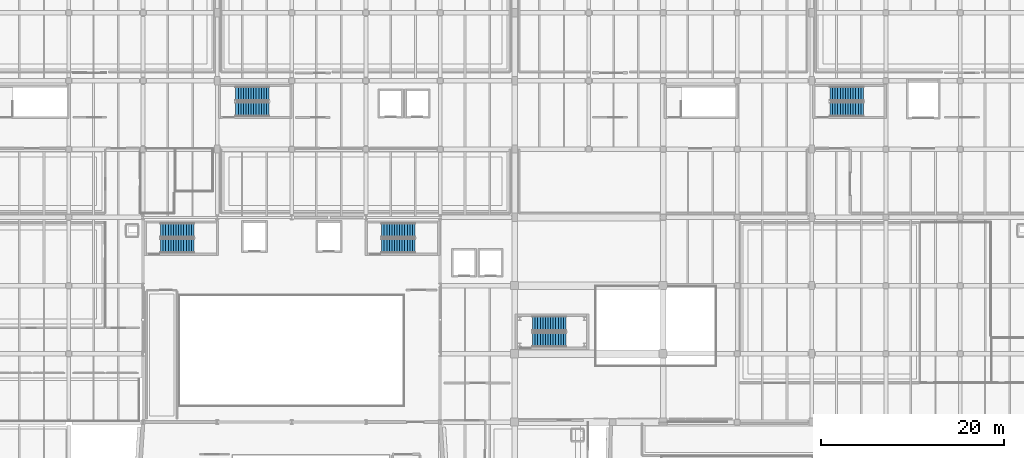
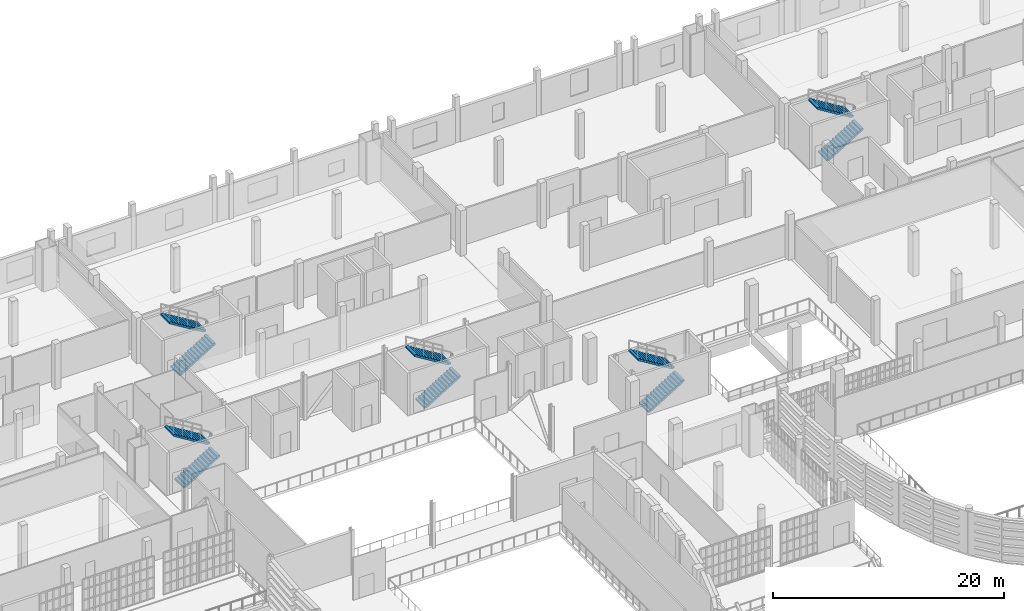
# One storey, part 96 of 104: 10 stair flights, 5 elements without a shape of their own.
"""IFC4 building model written with IfcOpenShell, lengths in metres."""

from ifc_helpers import new_model, si_unit, direction, frame, origin, place, context, subcontext, project, spatial, polyline, outline, extrude, material, type_object, element, aggregate, save


model = new_model("IFC4")

# Units and contexts
model_context = context("Model", 3, precision=1e-05, world=origin(), true_north=direction((0.0, 1.0)))
body_context = subcontext(model_context, "Body", "Model", "MODEL_VIEW")
ifc_project = project(units=[si_unit("LENGTHUNIT", "METRE"), si_unit("AREAUNIT", "SQUARE_METRE"), si_unit("VOLUMEUNIT", "CUBIC_METRE"), si_unit("PLANEANGLEUNIT", "RADIAN"), si_unit("MASSUNIT", "GRAM", prefix="KILO")], contexts=[model_context])

# Site, building, storey
site_placement = place(None, origin())
site = spatial("IfcSite", under=ifc_project, at=site_placement, CompositionType="ELEMENT")
building_placement = place(site_placement, origin())
building = spatial("IfcBuilding", under=site, at=building_placement, Name="Kaelora Sail Theatre", CompositionType="ELEMENT")
storey_placement = place(building_placement, frame((0.0, 0.0, 5.39990234375)))
storey = spatial("IfcBuildingStorey", under=building, at=storey_placement, Name="L01", CompositionType="ELEMENT", Elevation=5.39990234375)

# Stair, stair flights
ifc_material_1 = material(Name="Concrete C40/50", Category="concrete")
stair_type_1 = type_object("IfcStairType", Name="ARC-ST-ESC150", PredefinedType="HALF_TURN_STAIR", material=ifc_material_1)
stair_1_placement = place(storey_placement, origin())
stair_1 = element("IfcStair", 1, at=stair_1_placement, inside=storey, type_object=stair_type_1, Name="L01 ST-K1", PredefinedType="HALF_TURN_STAIR")
ifc_material_2 = material(Name="Concrete C40/50", Category="concrete")
stair_flight_type_1 = type_object("IfcStairFlightType", Name="ARC-SF-150", PredefinedType="STRAIGHT", material=ifc_material_2)
stair_flight_1_placement = place(storey_placement, frame((27.7099609375, 80.22509765625, 0.0), z_axis=(0.0, 0.0, 1.0), x_axis=(1.0, 0.0, 0.0)))
stair_flight_1 = element("IfcStairFlight", 2, at=stair_flight_1_placement, type_object=stair_flight_type_1, Name="ST-K1 flight 1", NumberOfRisers=14, NumberOfTreads=13, PredefinedType="STRAIGHT", RiserHeight=0.171428571, TreadLength=0.28, context=body_context, shape_type="SweptSolid", body=[
    extrude(outline(polyline([(0.0, 0.0), (0.0, 0.17138671875), (0.280029296875, 0.17138671875), (0.280029296875, 0.3427734375), (0.56005859375, 0.3427734375), (0.56005859375, 0.514404296875), (0.840087890625, 0.514404296875), (0.840087890625, 0.685791015625), (1.1201171875, 0.685791015625), (1.1201171875, 0.857177734375), (1.39990234375, 0.857177734375), (1.39990234375, 1.028564453125), (1.679931640625, 1.028564453125), (1.679931640625, 1.199951171875), (1.9599609375, 1.199951171875), (1.9599609375, 1.371337890625), (2.239990234375, 1.371337890625), (2.239990234375, 1.54296875), (2.52001953125, 1.54296875), (2.52001953125, 1.71435546875), (2.800048828125, 1.71435546875), (2.800048828125, 1.8857421875), (3.080078125, 1.8857421875), (3.080078125, 2.05712890625), (3.360107421875, 2.05712890625), (3.360107421875, 2.228515625), (3.639892578125, 2.228515625), (3.639892578125, 2.39990234375), (3.639892578125, 2.052734375), (0.287109375, 0.0), (0.0, 0.0)])), frame((0.0, 0.77490234375, 0.0), z_axis=(0.0, -1.0, 0.0), x_axis=(1.0, 0.0, 0.0)), (0.0, 0.0, 1.0), 1.550048828125),
])
stair_flight_2_placement = place(storey_placement, frame((31.35009765625, 81.925048828125, 2.400146484375), z_axis=(0.0, 0.0, 1.0), x_axis=(-1.0, 0.0, 0.0)))
stair_flight_2 = element("IfcStairFlight", 3, at=stair_flight_2_placement, type_object=stair_flight_type_1, Name="ST-K1 flight 2", NumberOfRisers=14, NumberOfTreads=13, PredefinedType="STRAIGHT", RiserHeight=0.171428571, TreadLength=0.28, context=body_context, shape_type="SweptSolid", body=[
    extrude(outline(polyline([(0.0, 0.0), (0.0, 0.17138671875), (0.280029296875, 0.17138671875), (0.280029296875, 0.3427734375), (0.56005859375, 0.3427734375), (0.56005859375, 0.514404296875), (0.840087890625, 0.514404296875), (0.840087890625, 0.685791015625), (1.1201171875, 0.685791015625), (1.1201171875, 0.857177734375), (1.39990234375, 0.857177734375), (1.39990234375, 1.028564453125), (1.679931640625, 1.028564453125), (1.679931640625, 1.199951171875), (1.9599609375, 1.199951171875), (1.9599609375, 1.371337890625), (2.239990234375, 1.371337890625), (2.239990234375, 1.54296875), (2.52001953125, 1.54296875), (2.52001953125, 1.71435546875), (2.800048828125, 1.71435546875), (2.800048828125, 1.8857421875), (3.080078125, 1.8857421875), (3.080078125, 2.05712890625), (3.360107421875, 2.05712890625), (3.360107421875, 2.228515625), (3.639892578125, 2.228515625), (3.639892578125, 2.39990234375), (3.639892578125, 2.052734375), (0.287109375, 0.0), (0.0, 0.0)])), frame((0.0, 0.77490234375, 0.0), z_axis=(0.0, -1.0, 0.0), x_axis=(1.0, 0.0, 0.0)), (0.0, 0.0, 1.0), 1.550048828125),
])
aggregate(stair_1, [stair_flight_1, stair_flight_2])

stair_2_placement = place(storey_placement, origin())
stair_2 = element("IfcStair", 4, at=stair_2_placement, inside=storey, type_object=stair_type_1, Name="L01 ST-K5", PredefinedType="HALF_TURN_STAIR")
stair_flight_3_placement = place(storey_placement, frame((51.81005859375, 80.22509765625, 0.0), z_axis=(0.0, 0.0, 1.0), x_axis=(1.0, 0.0, 0.0)))
stair_flight_3 = element("IfcStairFlight", 5, at=stair_flight_3_placement, type_object=stair_flight_type_1, Name="ST-K5 flight 1", NumberOfRisers=14, NumberOfTreads=13, PredefinedType="STRAIGHT", RiserHeight=0.171428571, TreadLength=0.28, context=body_context, shape_type="SweptSolid", body=[
    extrude(outline(polyline([(0.0, 0.0), (0.0, 0.17138671875), (0.280029296875, 0.17138671875), (0.280029296875, 0.3427734375), (0.56005859375, 0.3427734375), (0.56005859375, 0.514404296875), (0.840087890625, 0.514404296875), (0.840087890625, 0.685791015625), (1.1201171875, 0.685791015625), (1.1201171875, 0.857177734375), (1.39990234375, 0.857177734375), (1.39990234375, 1.028564453125), (1.679931640625, 1.028564453125), (1.679931640625, 1.199951171875), (1.9599609375, 1.199951171875), (1.9599609375, 1.371337890625), (2.239990234375, 1.371337890625), (2.239990234375, 1.54296875), (2.52001953125, 1.54296875), (2.52001953125, 1.71435546875), (2.800048828125, 1.71435546875), (2.800048828125, 1.8857421875), (3.080078125, 1.8857421875), (3.080078125, 2.05712890625), (3.360107421875, 2.05712890625), (3.360107421875, 2.228515625), (3.639892578125, 2.228515625), (3.639892578125, 2.39990234375), (3.639892578125, 2.052734375), (0.287109375, 0.0), (0.0, 0.0)])), frame((0.0, 0.77490234375, 0.0), z_axis=(0.0, -1.0, 0.0), x_axis=(1.0, 0.0, 0.0)), (0.0, 0.0, 1.0), 1.550048828125),
])
stair_flight_4_placement = place(storey_placement, frame((55.449951171875, 81.925048828125, 2.400146484375), z_axis=(0.0, 0.0, 1.0), x_axis=(-1.0, 0.0, 0.0)))
stair_flight_4 = element("IfcStairFlight", 6, at=stair_flight_4_placement, type_object=stair_flight_type_1, Name="ST-K5 flight 2", NumberOfRisers=14, NumberOfTreads=13, PredefinedType="STRAIGHT", RiserHeight=0.171428571, TreadLength=0.28, context=body_context, shape_type="SweptSolid", body=[
    extrude(outline(polyline([(0.0, 0.0), (0.0, 0.17138671875), (0.280029296875, 0.17138671875), (0.280029296875, 0.3427734375), (0.56005859375, 0.3427734375), (0.56005859375, 0.514404296875), (0.840087890625, 0.514404296875), (0.840087890625, 0.685791015625), (1.1201171875, 0.685791015625), (1.1201171875, 0.857177734375), (1.39990234375, 0.857177734375), (1.39990234375, 1.028564453125), (1.679931640625, 1.028564453125), (1.679931640625, 1.199951171875), (1.9599609375, 1.199951171875), (1.9599609375, 1.371337890625), (2.239990234375, 1.371337890625), (2.239990234375, 1.54296875), (2.52001953125, 1.54296875), (2.52001953125, 1.71435546875), (2.800048828125, 1.71435546875), (2.800048828125, 1.8857421875), (3.080078125, 1.8857421875), (3.080078125, 2.05712890625), (3.360107421875, 2.05712890625), (3.360107421875, 2.228515625), (3.639892578125, 2.228515625), (3.639892578125, 2.39990234375), (3.639892578125, 2.052734375), (0.287109375, 0.0), (0.0, 0.0)])), frame((0.0, 0.77490234375, 0.0), z_axis=(0.0, -1.0, 0.0), x_axis=(1.0, 0.0, 0.0)), (0.0, 0.0, 1.0), 1.550048828125),
])
aggregate(stair_2, [stair_flight_3, stair_flight_4])

stair_3_placement = place(storey_placement, origin())
stair_3 = element("IfcStair", 7, at=stair_3_placement, inside=storey, type_object=stair_type_1, Name="L01 ST-K2", PredefinedType="HALF_TURN_STAIR")
stair_flight_5_placement = place(storey_placement, frame((35.89990234375, 95.125, 0.0), z_axis=(0.0, 0.0, 1.0), x_axis=(1.0, 0.0, 0.0)))
stair_flight_5 = element("IfcStairFlight", 8, at=stair_flight_5_placement, type_object=stair_flight_type_1, Name="ST-K2 flight 1", NumberOfRisers=14, NumberOfTreads=13, PredefinedType="STRAIGHT", RiserHeight=0.171428571, TreadLength=0.28, context=body_context, shape_type="SweptSolid", body=[
    extrude(outline(polyline([(0.0, 0.0), (0.0, 0.17138671875), (0.280029296875, 0.17138671875), (0.280029296875, 0.3427734375), (0.56005859375, 0.3427734375), (0.56005859375, 0.514404296875), (0.840087890625, 0.514404296875), (0.840087890625, 0.685791015625), (1.1201171875, 0.685791015625), (1.1201171875, 0.857177734375), (1.39990234375, 0.857177734375), (1.39990234375, 1.028564453125), (1.679931640625, 1.028564453125), (1.679931640625, 1.199951171875), (1.9599609375, 1.199951171875), (1.9599609375, 1.371337890625), (2.239990234375, 1.371337890625), (2.239990234375, 1.54296875), (2.52001953125, 1.54296875), (2.52001953125, 1.71435546875), (2.800048828125, 1.71435546875), (2.800048828125, 1.8857421875), (3.080078125, 1.8857421875), (3.080078125, 2.05712890625), (3.360107421875, 2.05712890625), (3.360107421875, 2.228515625), (3.639892578125, 2.228515625), (3.639892578125, 2.39990234375), (3.639892578125, 2.052734375), (0.287109375, 0.0), (0.0, 0.0)])), frame((0.0, 0.77490234375, 0.0), z_axis=(0.0, -1.0, 0.0), x_axis=(1.0, 0.0, 0.0)), (0.0, 0.0, 1.0), 1.550048828125),
])
stair_flight_6_placement = place(storey_placement, frame((39.5400390625, 96.824951171875, 2.400146484375), z_axis=(0.0, 0.0, 1.0), x_axis=(-1.0, 0.0, 0.0)))
stair_flight_6 = element("IfcStairFlight", 9, at=stair_flight_6_placement, type_object=stair_flight_type_1, Name="ST-K2 flight 2", NumberOfRisers=14, NumberOfTreads=13, PredefinedType="STRAIGHT", RiserHeight=0.171428571, TreadLength=0.28, context=body_context, shape_type="SweptSolid", body=[
    extrude(outline(polyline([(0.0, 0.0), (0.0, 0.17138671875), (0.280029296875, 0.17138671875), (0.280029296875, 0.3427734375), (0.56005859375, 0.3427734375), (0.56005859375, 0.514404296875), (0.840087890625, 0.514404296875), (0.840087890625, 0.685791015625), (1.1201171875, 0.685791015625), (1.1201171875, 0.857177734375), (1.39990234375, 0.857177734375), (1.39990234375, 1.028564453125), (1.679931640625, 1.028564453125), (1.679931640625, 1.199951171875), (1.9599609375, 1.199951171875), (1.9599609375, 1.371337890625), (2.239990234375, 1.371337890625), (2.239990234375, 1.54296875), (2.52001953125, 1.54296875), (2.52001953125, 1.71435546875), (2.800048828125, 1.71435546875), (2.800048828125, 1.8857421875), (3.080078125, 1.8857421875), (3.080078125, 2.05712890625), (3.360107421875, 2.05712890625), (3.360107421875, 2.228515625), (3.639892578125, 2.228515625), (3.639892578125, 2.39990234375), (3.639892578125, 2.052734375), (0.287109375, 0.0), (0.0, 0.0)])), frame((0.0, 0.77490234375, 0.0), z_axis=(0.0, -1.0, 0.0), x_axis=(1.0, 0.0, 0.0)), (0.0, 0.0, 1.0), 1.550048828125),
])
aggregate(stair_3, [stair_flight_5, stair_flight_6])

stair_4_placement = place(storey_placement, origin())
stair_4 = element("IfcStair", 10, at=stair_4_placement, inside=storey, type_object=stair_type_1, Name="L01 ST-K4", PredefinedType="HALF_TURN_STAIR")
stair_flight_7_placement = place(storey_placement, frame((100.699951171875, 95.125, 0.0), z_axis=(0.0, 0.0, 1.0), x_axis=(1.0, 0.0, 0.0)))
stair_flight_7 = element("IfcStairFlight", 11, at=stair_flight_7_placement, type_object=stair_flight_type_1, Name="ST-K4 flight 1", NumberOfRisers=14, NumberOfTreads=13, PredefinedType="STRAIGHT", RiserHeight=0.171428571, TreadLength=0.28, context=body_context, shape_type="SweptSolid", body=[
    extrude(outline(polyline([(0.0, 0.0), (0.0, 0.17138671875), (0.280029296875, 0.17138671875), (0.280029296875, 0.3427734375), (0.56005859375, 0.3427734375), (0.56005859375, 0.514404296875), (0.840087890625, 0.514404296875), (0.840087890625, 0.685791015625), (1.1201171875, 0.685791015625), (1.1201171875, 0.857177734375), (1.39990234375, 0.857177734375), (1.39990234375, 1.028564453125), (1.679931640625, 1.028564453125), (1.679931640625, 1.199951171875), (1.9599609375, 1.199951171875), (1.9599609375, 1.371337890625), (2.239990234375, 1.371337890625), (2.239990234375, 1.54296875), (2.52001953125, 1.54296875), (2.52001953125, 1.71435546875), (2.800048828125, 1.71435546875), (2.800048828125, 1.8857421875), (3.080078125, 1.8857421875), (3.080078125, 2.05712890625), (3.360107421875, 2.05712890625), (3.360107421875, 2.228515625), (3.639892578125, 2.228515625), (3.639892578125, 2.39990234375), (3.639892578125, 2.052734375), (0.287109375, 0.0), (0.0, 0.0)])), frame((0.0, 0.77490234375, 0.0), z_axis=(0.0, -1.0, 0.0), x_axis=(1.0, 0.0, 0.0)), (0.0, 0.0, 1.0), 1.550048828125),
])
stair_flight_8_placement = place(storey_placement, frame((104.340087890625, 96.824951171875, 2.400146484375), z_axis=(0.0, 0.0, 1.0), x_axis=(-1.0, 0.0, 0.0)))
stair_flight_8 = element("IfcStairFlight", 12, at=stair_flight_8_placement, type_object=stair_flight_type_1, Name="ST-K4 flight 2", NumberOfRisers=14, NumberOfTreads=13, PredefinedType="STRAIGHT", RiserHeight=0.171428571, TreadLength=0.28, context=body_context, shape_type="SweptSolid", body=[
    extrude(outline(polyline([(0.0, 0.0), (0.0, 0.17138671875), (0.280029296875, 0.17138671875), (0.280029296875, 0.3427734375), (0.56005859375, 0.3427734375), (0.56005859375, 0.514404296875), (0.840087890625, 0.514404296875), (0.840087890625, 0.685791015625), (1.1201171875, 0.685791015625), (1.1201171875, 0.857177734375), (1.39990234375, 0.857177734375), (1.39990234375, 1.028564453125), (1.679931640625, 1.028564453125), (1.679931640625, 1.199951171875), (1.9599609375, 1.199951171875), (1.9599609375, 1.371337890625), (2.239990234375, 1.371337890625), (2.239990234375, 1.54296875), (2.52001953125, 1.54296875), (2.52001953125, 1.71435546875), (2.800048828125, 1.71435546875), (2.800048828125, 1.8857421875), (3.080078125, 1.8857421875), (3.080078125, 2.05712890625), (3.360107421875, 2.05712890625), (3.360107421875, 2.228515625), (3.639892578125, 2.228515625), (3.639892578125, 2.39990234375), (3.639892578125, 2.052734375), (0.287109375, 0.0), (0.0, 0.0)])), frame((0.0, 0.77490234375, 0.0), z_axis=(0.0, -1.0, 0.0), x_axis=(1.0, 0.0, 0.0)), (0.0, 0.0, 1.0), 1.550048828125),
])
aggregate(stair_4, [stair_flight_7, stair_flight_8])

ifc_material_3 = material(Name="Precast concrete C45/55", Category="concrete")
stair_type_2 = type_object("IfcStairType", Name="ARC-ST-FOY165", PredefinedType="HALF_TURN_STAIR", material=ifc_material_3)
stair_5_placement = place(storey_placement, origin())
stair_5 = element("IfcStair", 13, at=stair_5_placement, inside=storey, type_object=stair_type_2, Name="L01 ST-F1", PredefinedType="HALF_TURN_STAIR")
ifc_material_4 = material(Name="Precast concrete C45/55", Category="concrete")
stair_flight_type_2 = type_object("IfcStairFlightType", Name="ARC-SF-165", PredefinedType="STRAIGHT", material=ifc_material_4)
stair_flight_9_placement = place(storey_placement, frame((68.27001953125, 70.0, 0.0), z_axis=(0.0, 0.0, 1.0), x_axis=(1.0, 0.0, 0.0)))
stair_flight_9 = element("IfcStairFlight", 14, at=stair_flight_9_placement, type_object=stair_flight_type_2, Name="ST-F1 flight 1", NumberOfRisers=14, NumberOfTreads=13, PredefinedType="STRAIGHT", RiserHeight=0.171428571, TreadLength=0.28, context=body_context, shape_type="SweptSolid", body=[
    extrude(outline(polyline([(0.0, 0.0), (0.0, 0.17138671875), (0.280029296875, 0.17138671875), (0.280029296875, 0.3427734375), (0.56005859375, 0.3427734375), (0.56005859375, 0.514404296875), (0.840087890625, 0.514404296875), (0.840087890625, 0.685791015625), (1.1201171875, 0.685791015625), (1.1201171875, 0.857177734375), (1.39990234375, 0.857177734375), (1.39990234375, 1.028564453125), (1.679931640625, 1.028564453125), (1.679931640625, 1.199951171875), (1.9599609375, 1.199951171875), (1.9599609375, 1.371337890625), (2.239990234375, 1.371337890625), (2.239990234375, 1.54296875), (2.52001953125, 1.54296875), (2.52001953125, 1.71435546875), (2.800048828125, 1.71435546875), (2.800048828125, 1.8857421875), (3.080078125, 1.8857421875), (3.080078125, 2.05712890625), (3.360107421875, 2.05712890625), (3.360107421875, 2.228515625), (3.639892578125, 2.228515625), (3.639892578125, 2.39990234375), (3.639892578125, 2.052734375), (0.287109375, 0.0), (0.0, 0.0)])), frame((0.0, 0.800048828125, 0.0), z_axis=(0.0, -1.0, 0.0), x_axis=(1.0, 0.0, 0.0)), (0.0, 0.0, 1.0), 1.60009765625),
])
stair_flight_10_placement = place(storey_placement, frame((71.909912109375, 71.75, 2.400146484375), z_axis=(0.0, 0.0, 1.0), x_axis=(-1.0, 0.0, 0.0)))
stair_flight_10 = element("IfcStairFlight", 15, at=stair_flight_10_placement, type_object=stair_flight_type_2, Name="ST-F1 flight 2", NumberOfRisers=14, NumberOfTreads=13, PredefinedType="STRAIGHT", RiserHeight=0.171428571, TreadLength=0.28, context=body_context, shape_type="SweptSolid", body=[
    extrude(outline(polyline([(0.0, 0.0), (0.0, 0.17138671875), (0.280029296875, 0.17138671875), (0.280029296875, 0.3427734375), (0.56005859375, 0.3427734375), (0.56005859375, 0.514404296875), (0.840087890625, 0.514404296875), (0.840087890625, 0.685791015625), (1.1201171875, 0.685791015625), (1.1201171875, 0.857177734375), (1.39990234375, 0.857177734375), (1.39990234375, 1.028564453125), (1.679931640625, 1.028564453125), (1.679931640625, 1.199951171875), (1.9599609375, 1.199951171875), (1.9599609375, 1.371337890625), (2.239990234375, 1.371337890625), (2.239990234375, 1.54296875), (2.52001953125, 1.54296875), (2.52001953125, 1.71435546875), (2.800048828125, 1.71435546875), (2.800048828125, 1.8857421875), (3.080078125, 1.8857421875), (3.080078125, 2.05712890625), (3.360107421875, 2.05712890625), (3.360107421875, 2.228515625), (3.639892578125, 2.228515625), (3.639892578125, 2.39990234375), (3.639892578125, 2.052734375), (0.287109375, 0.0), (0.0, 0.0)])), frame((0.0, 0.800048828125, 0.0), z_axis=(0.0, -1.0, 0.0), x_axis=(1.0, 0.0, 0.0)), (0.0, 0.0, 1.0), 1.60009765625),
])
aggregate(stair_5, [stair_flight_9, stair_flight_10])

save(model, "model.ifc")
